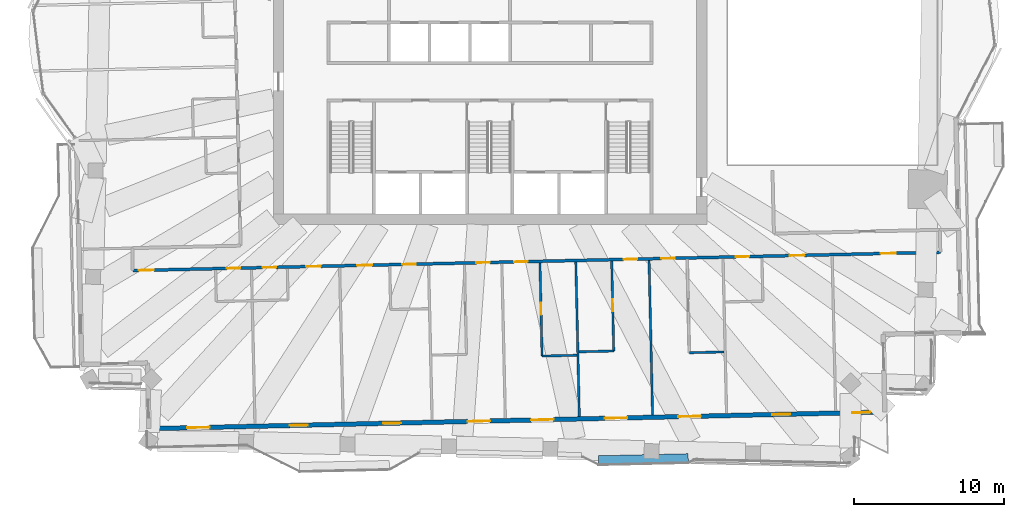
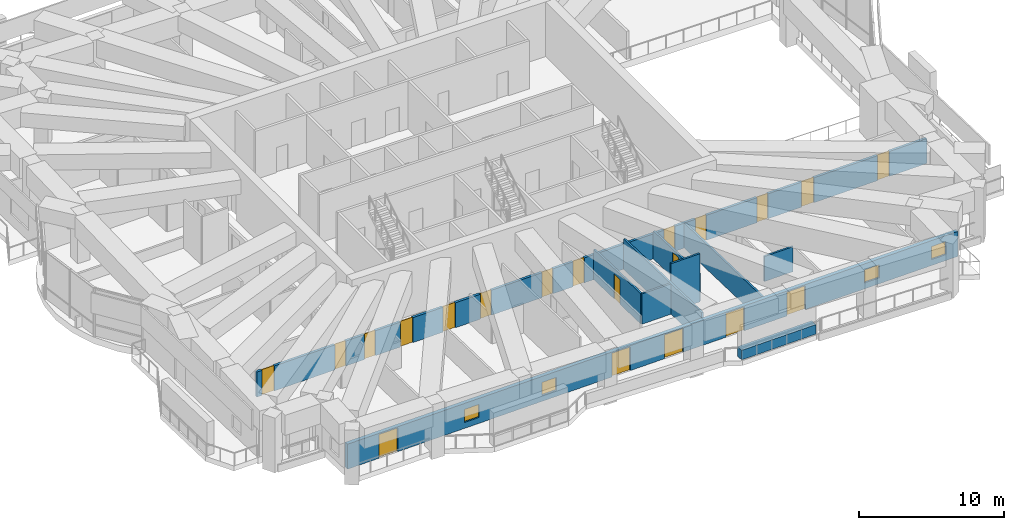
# One storey, part 13 of 21: 20 doors, 10 walls, 4 windows, 24 openings.
"""IFC4 building model written with IfcOpenShell, lengths in metres."""

from ifc_helpers import new_model, si_unit, direction, frame, frame_2d, origin, place, context, subcontext, project, spatial, rectangle, extrude, material, layer, layer_set, type_object, element, fill, save


model = new_model("IFC4")

# Units and contexts
model_context = context("Model", 3, precision=1e-05, world=origin(), true_north=direction((0.0, 1.0)))
body_context = subcontext(model_context, "Body", "Model", "MODEL_VIEW")
ifc_project = project(units=[si_unit("LENGTHUNIT", "METRE"), si_unit("AREAUNIT", "SQUARE_METRE"), si_unit("VOLUMEUNIT", "CUBIC_METRE"), si_unit("PLANEANGLEUNIT", "RADIAN"), si_unit("MASSUNIT", "GRAM", prefix="KILO")], contexts=[model_context])

# Site, building, storey
site_placement = place(None, origin())
site = spatial("IfcSite", under=ifc_project, at=site_placement, CompositionType="ELEMENT")
building_placement = place(site_placement, origin())
building = spatial("IfcBuilding", under=site, at=building_placement, Name="Mangrove Gate Tower", CompositionType="ELEMENT")
storey_placement = place(building_placement, frame((0.0, 0.0, 275.300048828125)))
storey = spatial("IfcBuildingStorey", under=building, at=storey_placement, Name="L70", CompositionType="ELEMENT", Elevation=275.300048828125)

# Wall, openings, doors
ifc_material_1 = material(Name="Gypsum board on steel stud, EI 60", Category="steel")
ifc_layer_1 = layer(ifc_material_1, 0.199951171875)
ifc_layer_set_1 = layer_set([ifc_layer_1], Name="Corridor wall EI 60")
wall_type_1 = type_object("IfcWallType", Name="Corridor wall EI 60", PredefinedType="PARTITIONING", material=ifc_layer_set_1)
wall_1_placement = place(storey_placement, frame((-23.89501953125, -14.5830078125, 0.0), z_axis=(0.0, 0.0, 1.0), x_axis=(0.999742444101, 0.022694613067, 0.0)))
wall_1 = element("IfcWall", 1, at=wall_1_placement, inside=storey, type_object=wall_type_1, Name="WALL-L70-025", PredefinedType="PARTITIONING", context=body_context, shape_type="SweptSolid", body=[
    extrude(rectangle(XDim=54.02490234375, YDim=0.199951171875, at=frame_2d((27.012451171875, 0.0))), origin(), (0.0, 0.0, 1.0), 2.099853515625),
])
opening_1_placement = place(wall_1_placement, frame((0.4140625, 0.0, 0.0)))
opening_1 = element("IfcOpeningElement", 2, at=opening_1_placement, cuts=wall_1, Name="Opening AD", PredefinedType="OPENING", context=body_context, shape_type="SweptSolid", body=[
    extrude(rectangle(XDim=1.0, YDim=2.10009765625, at=frame_2d((0.5, 1.050048828125))), frame((0.0, 0.10986328125, 0.0), z_axis=(0.0, -1.0, 0.0), x_axis=(1.0, 0.0, 0.0)), (0.0, 0.0, 1.0), 0.219970703125),
])
opening_2_placement = place(wall_1_placement, frame((6.2890625, 0.0, 0.0)))
opening_2 = element("IfcOpeningElement", 3, at=opening_2_placement, cuts=wall_1, Name="Opening SD", PredefinedType="OPENING", context=body_context, shape_type="SweptSolid", body=[
    extrude(rectangle(XDim=0.89990234375, YDim=2.10009765625, at=frame_2d((0.449951171875, 1.050048828125))), frame((0.0, 0.10986328125, 0.0), z_axis=(0.0, -1.0, 0.0), x_axis=(1.0, 0.0, 0.0)), (0.0, 0.0, 1.0), 0.219970703125),
])
opening_3_placement = place(wall_1_placement, frame((11.589111328125, 0.0, 0.0)))
opening_3 = element("IfcOpeningElement", 4, at=opening_3_placement, cuts=wall_1, Name="Opening AD", PredefinedType="OPENING", context=body_context, shape_type="SweptSolid", body=[
    extrude(rectangle(XDim=1.0, YDim=2.10009765625, at=frame_2d((0.5, 1.050048828125))), frame((0.0, 0.10986328125, 0.0), z_axis=(0.0, -1.0, 0.0), x_axis=(1.0, 0.0, 0.0)), (0.0, 0.0, 1.0), 0.219970703125),
])
opening_4_placement = place(wall_1_placement, frame((8.68896484375, 0.0, 0.0)))
opening_4 = element("IfcOpeningElement", 5, at=opening_4_placement, cuts=wall_1, Name="Opening SD", PredefinedType="OPENING", context=body_context, shape_type="SweptSolid", body=[
    extrude(rectangle(XDim=0.89990234375, YDim=2.10009765625, at=frame_2d((0.449951171875, 1.050048828125))), frame((0.0, 0.10986328125, 0.0), z_axis=(0.0, -1.0, 0.0), x_axis=(1.0, 0.0, 0.0)), (0.0, 0.0, 1.0), 0.219970703125),
])
opening_5_placement = place(wall_1_placement, frame((15.013916015625, 0.0, 0.0)))
opening_5 = element("IfcOpeningElement", 6, at=opening_5_placement, cuts=wall_1, Name="Opening AD", PredefinedType="OPENING", context=body_context, shape_type="SweptSolid", body=[
    extrude(rectangle(XDim=1.0, YDim=2.10009765625, at=frame_2d((0.5, 1.050048828125))), frame((0.0, 0.10986328125, 0.0), z_axis=(0.0, -1.0, 0.0), x_axis=(1.0, 0.0, 0.0)), (0.0, 0.0, 1.0), 0.219970703125),
])
opening_6_placement = place(wall_1_placement, frame((18.0390625, 0.0, 0.0)))
opening_6 = element("IfcOpeningElement", 7, at=opening_6_placement, cuts=wall_1, Name="Opening SD", PredefinedType="OPENING", context=body_context, shape_type="SweptSolid", body=[
    extrude(rectangle(XDim=0.89990234375, YDim=2.10009765625, at=frame_2d((0.449951171875, 1.050048828125))), frame((0.0, 0.10986328125, 0.0), z_axis=(0.0, -1.0, 0.0), x_axis=(1.0, 0.0, 0.0)), (0.0, 0.0, 1.0), 0.219970703125),
])
opening_7_placement = place(wall_1_placement, frame((22.989013671875, 0.0, 0.0)))
opening_7 = element("IfcOpeningElement", 8, at=opening_7_placement, cuts=wall_1, Name="Opening BD", PredefinedType="OPENING", context=body_context, shape_type="SweptSolid", body=[
    extrude(rectangle(XDim=0.89990234375, YDim=2.10009765625, at=frame_2d((0.449951171875, 1.050048828125))), frame((0.0, 0.10986328125, 0.0), z_axis=(0.0, -1.0, 0.0), x_axis=(1.0, 0.0, 0.0)), (0.0, 0.0, 1.0), 0.219970703125),
])
opening_8_placement = place(wall_1_placement, frame((25.513916015625, 0.0, 0.0)))
opening_8 = element("IfcOpeningElement", 9, at=opening_8_placement, cuts=wall_1, Name="Opening BD", PredefinedType="OPENING", context=body_context, shape_type="SweptSolid", body=[
    extrude(rectangle(XDim=0.89990234375, YDim=2.10009765625, at=frame_2d((0.449951171875, 1.050048828125))), frame((0.0, 0.10986328125, 0.0), z_axis=(0.0, -1.0, 0.0), x_axis=(1.0, 0.0, 0.0)), (0.0, 0.0, 1.0), 0.219970703125),
])
opening_9_placement = place(wall_1_placement, frame((32.839111328125, 0.0, 0.0)))
opening_9 = element("IfcOpeningElement", 10, at=opening_9_placement, cuts=wall_1, Name="Opening BD", PredefinedType="OPENING", context=body_context, shape_type="SweptSolid", body=[
    extrude(rectangle(XDim=0.89990234375, YDim=2.10009765625, at=frame_2d((0.449951171875, 1.050048828125))), frame((0.0, 0.10986328125, 0.0), z_axis=(0.0, -1.0, 0.0), x_axis=(1.0, 0.0, 0.0)), (0.0, 0.0, 1.0), 0.219970703125),
])
opening_10_placement = place(wall_1_placement, frame((35.364013671875, 0.0, 0.0)))
opening_10 = element("IfcOpeningElement", 11, at=opening_10_placement, cuts=wall_1, Name="Opening BD", PredefinedType="OPENING", context=body_context, shape_type="SweptSolid", body=[
    extrude(rectangle(XDim=0.89990234375, YDim=2.10009765625, at=frame_2d((0.449951171875, 1.050048828125))), frame((0.0, 0.10986328125, 0.0), z_axis=(0.0, -1.0, 0.0), x_axis=(1.0, 0.0, 0.0)), (0.0, 0.0, 1.0), 0.219970703125),
])
opening_11_placement = place(wall_1_placement, frame((43.93896484375, 0.0, 0.0)))
opening_11 = element("IfcOpeningElement", 12, at=opening_11_placement, cuts=wall_1, Name="Opening AD", PredefinedType="OPENING", context=body_context, shape_type="SweptSolid", body=[
    extrude(rectangle(XDim=1.0, YDim=2.10009765625, at=frame_2d((0.5, 1.050048828125))), frame((0.0, 0.10986328125, 0.0), z_axis=(0.0, -1.0, 0.0), x_axis=(1.0, 0.0, 0.0)), (0.0, 0.0, 1.0), 0.219970703125),
])
opening_12_placement = place(wall_1_placement, frame((40.339111328125, 0.0, 0.0)))
opening_12 = element("IfcOpeningElement", 13, at=opening_12_placement, cuts=wall_1, Name="Opening SD", PredefinedType="OPENING", context=body_context, shape_type="SweptSolid", body=[
    extrude(rectangle(XDim=0.89990234375, YDim=2.10009765625, at=frame_2d((0.449951171875, 1.050048828125))), frame((0.0, 0.10986328125, 0.0), z_axis=(0.0, -1.0, 0.0), x_axis=(1.0, 0.0, 0.0)), (0.0, 0.0, 1.0), 0.219970703125),
])
opening_13_placement = place(wall_1_placement, frame((50.034912109375, 0.0, 0.0)))
opening_13 = element("IfcOpeningElement", 14, at=opening_13_placement, cuts=wall_1, Name="Opening AD", PredefinedType="OPENING", context=body_context, shape_type="SweptSolid", body=[
    extrude(rectangle(XDim=1.0, YDim=2.10009765625, at=frame_2d((0.5, 1.050048828125))), frame((0.0, 0.10986328125, 0.0), z_axis=(0.0, -1.0, 0.0), x_axis=(1.0, 0.0, 0.0)), (0.0, 0.0, 1.0), 0.219970703125),
])
ifc_material_2 = material(Name="Timber door leaf", Category="wood")
door_type_1 = type_object("IfcDoorType", Name="Amenity door 1000", OperationType="SINGLE_SWING_LEFT", PredefinedType="DOOR", material=ifc_material_2)
door_1_placement = place(opening_1_placement, origin())
door_1 = element("IfcDoor", 15, at=door_1_placement, inside=storey, type_object=door_type_1, Name="DOOR-L70-GAM-c1a", OperationType="SINGLE_SWING_LEFT", OverallHeight=2.10009765625, OverallWidth=1.0, PredefinedType="DOOR", context=body_context, shape_type="SweptSolid", body=[
    extrude(rectangle(XDim=1.0, YDim=2.10009765625, at=frame_2d((0.5, 1.050048828125))), frame((0.0, 0.02490234375, 0.0), z_axis=(0.0, -1.0, 0.0), x_axis=(1.0, 0.0, 0.0)), (0.0, 0.0, 1.0), 0.050048828125),
])
fill(opening_1, door_1)
door_2_placement = place(opening_3_placement, origin())
door_2 = element("IfcDoor", 16, at=door_2_placement, inside=storey, type_object=door_type_1, Name="DOOR-L70-KIT-c1a", OperationType="SINGLE_SWING_RIGHT", OverallHeight=2.10009765625, OverallWidth=1.0, PredefinedType="DOOR", context=body_context, shape_type="SweptSolid", body=[
    extrude(rectangle(XDim=1.0, YDim=2.10009765625, at=frame_2d((0.5, 1.050048828125))), frame((0.0, 0.02490234375, 0.0), z_axis=(0.0, -1.0, 0.0), x_axis=(1.0, 0.0, 0.0)), (0.0, 0.0, 1.0), 0.050048828125),
])
fill(opening_3, door_2)
door_3_placement = place(opening_5_placement, origin())
door_3 = element("IfcDoor", 17, at=door_3_placement, inside=storey, type_object=door_type_1, Name="DOOR-L70-KIT-c1b", OperationType="SINGLE_SWING_LEFT", OverallHeight=2.10009765625, OverallWidth=1.0, PredefinedType="DOOR", context=body_context, shape_type="SweptSolid", body=[
    extrude(rectangle(XDim=1.0, YDim=2.10009765625, at=frame_2d((0.5, 1.050048828125))), frame((0.0, 0.02490234375, 0.0), z_axis=(0.0, -1.0, 0.0), x_axis=(1.0, 0.0, 0.0)), (0.0, 0.0, 1.0), 0.050048828125),
])
fill(opening_5, door_3)
door_4_placement = place(opening_11_placement, origin())
door_4 = element("IfcDoor", 18, at=door_4_placement, inside=storey, type_object=door_type_1, Name="DOOR-L70-GAM-c3a", OperationType="SINGLE_SWING_RIGHT", OverallHeight=2.10009765625, OverallWidth=1.0, PredefinedType="DOOR", context=body_context, shape_type="SweptSolid", body=[
    extrude(rectangle(XDim=1.0, YDim=2.10009765625, at=frame_2d((0.5, 1.050048828125))), frame((0.0, 0.02490234375, 0.0), z_axis=(0.0, -1.0, 0.0), x_axis=(1.0, 0.0, 0.0)), (0.0, 0.0, 1.0), 0.050048828125),
])
fill(opening_11, door_4)
door_5_placement = place(opening_13_placement, origin())
door_5 = element("IfcDoor", 19, at=door_5_placement, inside=storey, type_object=door_type_1, Name="DOOR-L70-STU-c3a", OperationType="SINGLE_SWING_LEFT", OverallHeight=2.10009765625, OverallWidth=1.0, PredefinedType="DOOR", context=body_context, shape_type="SweptSolid", body=[
    extrude(rectangle(XDim=1.0, YDim=2.10009765625, at=frame_2d((0.5, 1.050048828125))), frame((0.0, 0.02490234375, 0.0), z_axis=(0.0, -1.0, 0.0), x_axis=(1.0, 0.0, 0.0)), (0.0, 0.0, 1.0), 0.050048828125),
])
fill(opening_13, door_5)
ifc_material_3 = material(Name="Timber door leaf", Category="wood")
door_type_2 = type_object("IfcDoorType", Name="Bedroom door 900", OperationType="SINGLE_SWING_LEFT", PredefinedType="DOOR", material=ifc_material_3)
door_6_placement = place(opening_7_placement, origin())
door_6 = element("IfcDoor", 20, at=door_6_placement, inside=storey, type_object=door_type_2, Name="DOOR-L70-BED-c101", OperationType="SINGLE_SWING_LEFT", OverallHeight=2.10009765625, OverallWidth=0.89990234375, PredefinedType="DOOR", context=body_context, shape_type="SweptSolid", body=[
    extrude(rectangle(XDim=0.89990234375, YDim=2.10009765625, at=frame_2d((0.449951171875, 1.050048828125))), frame((0.0, 0.02490234375, 0.0), z_axis=(0.0, -1.0, 0.0), x_axis=(1.0, 0.0, 0.0)), (0.0, 0.0, 1.0), 0.050048828125),
])
fill(opening_7, door_6)
door_7_placement = place(opening_8_placement, origin())
door_7 = element("IfcDoor", 21, at=door_7_placement, inside=storey, type_object=door_type_2, Name="DOOR-L70-BED-c102", OperationType="SINGLE_SWING_RIGHT", OverallHeight=2.10009765625, OverallWidth=0.89990234375, PredefinedType="DOOR", context=body_context, shape_type="SweptSolid", body=[
    extrude(rectangle(XDim=0.89990234375, YDim=2.10009765625, at=frame_2d((0.449951171875, 1.050048828125))), frame((0.0, 0.02490234375, 0.0), z_axis=(0.0, -1.0, 0.0), x_axis=(1.0, 0.0, 0.0)), (0.0, 0.0, 1.0), 0.050048828125),
])
fill(opening_8, door_7)
door_8_placement = place(opening_9_placement, origin())
door_8 = element("IfcDoor", 22, at=door_8_placement, inside=storey, type_object=door_type_2, Name="DOOR-L70-BED-c203", OperationType="SINGLE_SWING_LEFT", OverallHeight=2.10009765625, OverallWidth=0.89990234375, PredefinedType="DOOR", context=body_context, shape_type="SweptSolid", body=[
    extrude(rectangle(XDim=0.89990234375, YDim=2.10009765625, at=frame_2d((0.449951171875, 1.050048828125))), frame((0.0, 0.02490234375, 0.0), z_axis=(0.0, -1.0, 0.0), x_axis=(1.0, 0.0, 0.0)), (0.0, 0.0, 1.0), 0.050048828125),
])
fill(opening_9, door_8)
door_9_placement = place(opening_10_placement, origin())
door_9 = element("IfcDoor", 23, at=door_9_placement, inside=storey, type_object=door_type_2, Name="DOOR-L70-BED-c304", OperationType="SINGLE_SWING_RIGHT", OverallHeight=2.10009765625, OverallWidth=0.89990234375, PredefinedType="DOOR", context=body_context, shape_type="SweptSolid", body=[
    extrude(rectangle(XDim=0.89990234375, YDim=2.10009765625, at=frame_2d((0.449951171875, 1.050048828125))), frame((0.0, 0.02490234375, 0.0), z_axis=(0.0, -1.0, 0.0), x_axis=(1.0, 0.0, 0.0)), (0.0, 0.0, 1.0), 0.050048828125),
])
fill(opening_10, door_9)
ifc_material_4 = material(Name="Timber door leaf", Category="wood")
door_type_3 = type_object("IfcDoorType", Name="Service room door 900", OperationType="SINGLE_SWING_LEFT", PredefinedType="DOOR", material=ifc_material_4)
door_10_placement = place(opening_2_placement, origin())
door_10 = element("IfcDoor", 24, at=door_10_placement, inside=storey, type_object=door_type_3, Name="DOOR-L70-LIN-c1a", OperationType="SINGLE_SWING_LEFT", OverallHeight=2.10009765625, OverallWidth=0.89990234375, PredefinedType="DOOR", context=body_context, shape_type="SweptSolid", body=[
    extrude(rectangle(XDim=0.89990234375, YDim=2.10009765625, at=frame_2d((0.449951171875, 1.050048828125))), frame((0.0, 0.02490234375, 0.0), z_axis=(0.0, -1.0, 0.0), x_axis=(1.0, 0.0, 0.0)), (0.0, 0.0, 1.0), 0.050048828125),
])
fill(opening_2, door_10)
door_11_placement = place(opening_4_placement, origin())
door_11 = element("IfcDoor", 25, at=door_11_placement, inside=storey, type_object=door_type_3, Name="DOOR-L70-LIN-c1b", OperationType="SINGLE_SWING_RIGHT", OverallHeight=2.10009765625, OverallWidth=0.89990234375, PredefinedType="DOOR", context=body_context, shape_type="SweptSolid", body=[
    extrude(rectangle(XDim=0.89990234375, YDim=2.10009765625, at=frame_2d((0.449951171875, 1.050048828125))), frame((0.0, 0.02490234375, 0.0), z_axis=(0.0, -1.0, 0.0), x_axis=(1.0, 0.0, 0.0)), (0.0, 0.0, 1.0), 0.050048828125),
])
fill(opening_4, door_11)
door_12_placement = place(opening_6_placement, origin())
door_12 = element("IfcDoor", 26, at=door_12_placement, inside=storey, type_object=door_type_3, Name="DOOR-L70-AWC-c1a", OperationType="SINGLE_SWING_LEFT", OverallHeight=2.10009765625, OverallWidth=0.89990234375, PredefinedType="DOOR", context=body_context, shape_type="SweptSolid", body=[
    extrude(rectangle(XDim=0.89990234375, YDim=2.10009765625, at=frame_2d((0.449951171875, 1.050048828125))), frame((0.0, 0.02490234375, 0.0), z_axis=(0.0, -1.0, 0.0), x_axis=(1.0, 0.0, 0.0)), (0.0, 0.0, 1.0), 0.050048828125),
])
fill(opening_6, door_12)
door_13_placement = place(opening_12_placement, origin())
door_13 = element("IfcDoor", 27, at=door_13_placement, inside=storey, type_object=door_type_3, Name="DOOR-L70-AWC-c3a", OperationType="SINGLE_SWING_RIGHT", OverallHeight=2.10009765625, OverallWidth=0.89990234375, PredefinedType="DOOR", context=body_context, shape_type="SweptSolid", body=[
    extrude(rectangle(XDim=0.89990234375, YDim=2.10009765625, at=frame_2d((0.449951171875, 1.050048828125))), frame((0.0, 0.02490234375, 0.0), z_axis=(0.0, -1.0, 0.0), x_axis=(1.0, 0.0, 0.0)), (0.0, 0.0, 1.0), 0.050048828125),
])
fill(opening_12, door_13)

# Wall, openings, doors, windows
ifc_material_5 = material(Name="Limestone", Category="masonry")
ifc_layer_2 = layer(ifc_material_5, 0.0400390625, Name="Limestone cladding")
ifc_material_6 = material(Name="Ventilated air gap")
ifc_layer_3 = layer(ifc_material_6, 0.0400390625, Name="Ventilated cavity")
ifc_material_7 = material(Name="Mineral wool insulation")
ifc_layer_4 = layer(ifc_material_7, 0.06005859375, Name="Insulation")
ifc_material_8 = material(Name="Breather membrane")
ifc_layer_5 = layer(ifc_material_8, 0.001953125, Name="Breather membrane")
ifc_material_9 = material(Name="Concrete C20/25 blockwork", Category="masonry")
ifc_layer_6 = layer(ifc_material_9, 0.14990234375, Name="Blockwork backing wall")
ifc_material_10 = material(Name="Gypsum plaster")
ifc_layer_7 = layer(ifc_material_10, 0.008056640625, Name="Internal plaster")
ifc_layer_set_2 = layer_set([ifc_layer_2, ifc_layer_3, ifc_layer_4, ifc_layer_5, ifc_layer_6, ifc_layer_7], Name="External wall 300 limestone cladding")
wall_type_2 = type_object("IfcWallType", Name="External wall 300 limestone cladding", PredefinedType="SOLIDWALL", material=ifc_layer_set_2)
wall_2_placement = place(storey_placement, frame((-22.81591796875, -25.160888671875, 0.0), z_axis=(0.0, 0.0, 1.0), x_axis=(0.999742646411, 0.022685699159, 0.0)))
wall_2 = element("IfcWall", 28, at=wall_2_placement, inside=storey, type_object=wall_type_2, Name="WALL-L70-S13", PredefinedType="SOLIDWALL", context=body_context, shape_type="SweptSolid", body=[
    extrude(rectangle(XDim=49.235595703125, YDim=0.300048828125, at=frame_2d((24.61767578125, 0.0))), origin(), (0.0, 0.0, 1.0), 2.099853515625),
])
opening_14_placement = place(wall_2_placement, frame((2.56005859375, 0.0, 0.0)))
opening_14 = element("IfcOpeningElement", 29, at=opening_14_placement, cuts=wall_2, Name="Opening BD3", PredefinedType="OPENING", context=body_context, shape_type="SweptSolid", body=[
    extrude(rectangle(XDim=1.5, YDim=2.0, at=frame_2d((0.75, 1.0))), frame((0.0, 0.159912109375, 0.0), z_axis=(0.0, -1.0, 0.0), x_axis=(1.0, 0.0, 0.0)), (0.0, 0.0, 1.0), 0.320068359375),
])
opening_15_placement = place(wall_2_placement, frame((9.4169921875, 0.0, 0.5)))
opening_15 = element("IfcOpeningElement", 30, at=opening_15_placement, cuts=wall_2, Name="Opening W6", PredefinedType="OPENING", context=body_context, shape_type="SweptSolid", body=[
    extrude(rectangle(XDim=1.199951171875, YDim=1.10009765625, at=frame_2d((0.60009765625, 0.550048828125))), frame((0.0, 0.159912109375, 0.0), z_axis=(0.0, -1.0, 0.0), x_axis=(1.0, 0.0, 0.0)), (0.0, 0.0, 1.0), 0.320068359375),
])
opening_16_placement = place(wall_2_placement, frame((15.6640625, 0.0, 0.5)))
opening_16 = element("IfcOpeningElement", 31, at=opening_16_placement, cuts=wall_2, Name="Opening W6", PredefinedType="OPENING", context=body_context, shape_type="SweptSolid", body=[
    extrude(rectangle(XDim=1.199951171875, YDim=1.10009765625, at=frame_2d((0.60009765625, 0.550048828125))), frame((0.0, 0.159912109375, 0.0), z_axis=(0.0, -1.0, 0.0), x_axis=(1.0, 0.0, 0.0)), (0.0, 0.0, 1.0), 0.320068359375),
])
opening_17_placement = place(wall_2_placement, frame((21.325927734375, 0.0, 0.0)))
opening_17 = element("IfcOpeningElement", 32, at=opening_17_placement, cuts=wall_2, Name="Opening BD3", PredefinedType="OPENING", context=body_context, shape_type="SweptSolid", body=[
    extrude(rectangle(XDim=1.5, YDim=2.0, at=frame_2d((0.75, 1.0))), frame((0.0, 0.159912109375, 0.0), z_axis=(0.0, -1.0, 0.0), x_axis=(1.0, 0.0, 0.0)), (0.0, 0.0, 1.0), 0.320068359375),
])
opening_18_placement = place(wall_2_placement, frame((25.574951171875, 0.0, 0.0)))
opening_18 = element("IfcOpeningElement", 33, at=opening_18_placement, cuts=wall_2, Name="Opening BD3", PredefinedType="OPENING", context=body_context, shape_type="SweptSolid", body=[
    extrude(rectangle(XDim=1.5, YDim=2.0, at=frame_2d((0.75, 1.0))), frame((0.0, 0.159912109375, 0.0), z_axis=(0.0, -1.0, 0.0), x_axis=(1.0, 0.0, 0.0)), (0.0, 0.0, 1.0), 0.320068359375),
])
opening_19_placement = place(wall_2_placement, frame((30.5, 0.0, 0.0)))
opening_19 = element("IfcOpeningElement", 34, at=opening_19_placement, cuts=wall_2, Name="Opening BD3", PredefinedType="OPENING", context=body_context, shape_type="SweptSolid", body=[
    extrude(rectangle(XDim=1.5, YDim=2.0, at=frame_2d((0.75, 1.0))), frame((0.0, 0.159912109375, 0.0), z_axis=(0.0, -1.0, 0.0), x_axis=(1.0, 0.0, 0.0)), (0.0, 0.0, 1.0), 0.320068359375),
])
opening_20_placement = place(wall_2_placement, frame((35.425048828125, 0.0, 0.0)))
opening_20 = element("IfcOpeningElement", 35, at=opening_20_placement, cuts=wall_2, Name="Opening BD3", PredefinedType="OPENING", context=body_context, shape_type="SweptSolid", body=[
    extrude(rectangle(XDim=1.5, YDim=2.0, at=frame_2d((0.75, 1.0))), frame((0.0, 0.159912109375, 0.0), z_axis=(0.0, -1.0, 0.0), x_axis=(1.0, 0.0, 0.0)), (0.0, 0.0, 1.0), 0.320068359375),
])
opening_21_placement = place(wall_2_placement, frame((41.699951171875, 0.0, 0.5)))
opening_21 = element("IfcOpeningElement", 36, at=opening_21_placement, cuts=wall_2, Name="Opening W6", PredefinedType="OPENING", context=body_context, shape_type="SweptSolid", body=[
    extrude(rectangle(XDim=1.199951171875, YDim=1.10009765625, at=frame_2d((0.60009765625, 0.550048828125))), frame((0.0, 0.159912109375, 0.0), z_axis=(0.0, -1.0, 0.0), x_axis=(1.0, 0.0, 0.0)), (0.0, 0.0, 1.0), 0.320068359375),
])
opening_22_placement = place(wall_2_placement, frame((47.068115234375, 0.0, 0.5)))
opening_22 = element("IfcOpeningElement", 37, at=opening_22_placement, cuts=wall_2, Name="Opening W6", PredefinedType="OPENING", context=body_context, shape_type="SweptSolid", body=[
    extrude(rectangle(XDim=1.199951171875, YDim=1.10009765625, at=frame_2d((0.60009765625, 0.550048828125))), frame((0.0, 0.159912109375, 0.0), z_axis=(0.0, -1.0, 0.0), x_axis=(1.0, 0.0, 0.0)), (0.0, 0.0, 1.0), 0.320068359375),
])
ifc_material_11 = material(Name="Aluminium frame with laminated clear glass", Category="aluminium")
door_type_4 = type_object("IfcDoorType", Name="Balcony sliding door 1500x2000", OperationType="SLIDING_TO_LEFT", PredefinedType="DOOR", material=ifc_material_11)
door_14_placement = place(opening_14_placement, origin())
door_14 = element("IfcDoor", 38, at=door_14_placement, inside=storey, type_object=door_type_4, Name="DOOR-L70-S13-1", OperationType="SLIDING_TO_LEFT", OverallHeight=2.0, OverallWidth=1.5, PredefinedType="DOOR", context=body_context, shape_type="SweptSolid", body=[
    extrude(rectangle(XDim=1.5, YDim=2.0, at=frame_2d((0.75, 1.0))), frame((0.0, 0.02490234375, 0.0), z_axis=(0.0, -1.0, 0.0), x_axis=(1.0, 0.0, 0.0)), (0.0, 0.0, 1.0), 0.050048828125),
])
fill(opening_14, door_14)
door_15_placement = place(opening_17_placement, origin())
door_15 = element("IfcDoor", 39, at=door_15_placement, inside=storey, type_object=door_type_4, Name="DOOR-L70-S13-4", OperationType="SLIDING_TO_LEFT", OverallHeight=2.0, OverallWidth=1.5, PredefinedType="DOOR", context=body_context, shape_type="SweptSolid", body=[
    extrude(rectangle(XDim=1.5, YDim=2.0, at=frame_2d((0.75, 1.0))), frame((0.0, 0.02490234375, 0.0), z_axis=(0.0, -1.0, 0.0), x_axis=(1.0, 0.0, 0.0)), (0.0, 0.0, 1.0), 0.050048828125),
])
fill(opening_17, door_15)
door_16_placement = place(opening_18_placement, origin())
door_16 = element("IfcDoor", 40, at=door_16_placement, inside=storey, type_object=door_type_4, Name="DOOR-L70-S13-5", OperationType="SLIDING_TO_LEFT", OverallHeight=2.0, OverallWidth=1.5, PredefinedType="DOOR", context=body_context, shape_type="SweptSolid", body=[
    extrude(rectangle(XDim=1.5, YDim=2.0, at=frame_2d((0.75, 1.0))), frame((0.0, 0.02490234375, 0.0), z_axis=(0.0, -1.0, 0.0), x_axis=(1.0, 0.0, 0.0)), (0.0, 0.0, 1.0), 0.050048828125),
])
fill(opening_18, door_16)
door_17_placement = place(opening_19_placement, origin())
door_17 = element("IfcDoor", 41, at=door_17_placement, inside=storey, type_object=door_type_4, Name="DOOR-L70-S13-6", OperationType="SLIDING_TO_LEFT", OverallHeight=2.0, OverallWidth=1.5, PredefinedType="DOOR", context=body_context, shape_type="SweptSolid", body=[
    extrude(rectangle(XDim=1.5, YDim=2.0, at=frame_2d((0.75, 1.0))), frame((0.0, 0.02490234375, 0.0), z_axis=(0.0, -1.0, 0.0), x_axis=(1.0, 0.0, 0.0)), (0.0, 0.0, 1.0), 0.050048828125),
])
fill(opening_19, door_17)
door_18_placement = place(opening_20_placement, origin())
door_18 = element("IfcDoor", 42, at=door_18_placement, inside=storey, type_object=door_type_4, Name="DOOR-L70-S13-7", OperationType="SLIDING_TO_LEFT", OverallHeight=2.0, OverallWidth=1.5, PredefinedType="DOOR", context=body_context, shape_type="SweptSolid", body=[
    extrude(rectangle(XDim=1.5, YDim=2.0, at=frame_2d((0.75, 1.0))), frame((0.0, 0.02490234375, 0.0), z_axis=(0.0, -1.0, 0.0), x_axis=(1.0, 0.0, 0.0)), (0.0, 0.0, 1.0), 0.050048828125),
])
fill(opening_20, door_18)
ifc_material_12 = material(Name="Aluminium frame with double-glazed low-e glass", Category="aluminium")
window_type = type_object("IfcWindowType", Name="Low window 1200x1100", PartitioningType="SINGLE_PANEL", PredefinedType="WINDOW", material=ifc_material_12)
window_1_placement = place(opening_15_placement, origin())
window_1 = element("IfcWindow", 43, at=window_1_placement, inside=storey, type_object=window_type, Name="WIN-L70-S13-2", OverallHeight=1.10009765625, OverallWidth=1.199951171875, PartitioningType="SINGLE_PANEL", PredefinedType="WINDOW", context=body_context, shape_type="SweptSolid", body=[
    extrude(rectangle(XDim=1.199951171875, YDim=1.10009765625, at=frame_2d((0.60009765625, 0.550048828125))), frame((0.0, 0.030029296875, 0.0), z_axis=(0.0, -1.0, 0.0), x_axis=(1.0, 0.0, 0.0)), (0.0, 0.0, 1.0), 0.06005859375),
])
fill(opening_15, window_1)
window_2_placement = place(opening_16_placement, origin())
window_2 = element("IfcWindow", 44, at=window_2_placement, inside=storey, type_object=window_type, Name="WIN-L70-S13-3", OverallHeight=1.10009765625, OverallWidth=1.199951171875, PartitioningType="SINGLE_PANEL", PredefinedType="WINDOW", context=body_context, shape_type="SweptSolid", body=[
    extrude(rectangle(XDim=1.199951171875, YDim=1.10009765625, at=frame_2d((0.60009765625, 0.550048828125))), frame((0.0, 0.030029296875, 0.0), z_axis=(0.0, -1.0, 0.0), x_axis=(1.0, 0.0, 0.0)), (0.0, 0.0, 1.0), 0.06005859375),
])
fill(opening_16, window_2)
window_3_placement = place(opening_21_placement, origin())
window_3 = element("IfcWindow", 45, at=window_3_placement, inside=storey, type_object=window_type, Name="WIN-L70-S13-8", OverallHeight=1.10009765625, OverallWidth=1.199951171875, PartitioningType="SINGLE_PANEL", PredefinedType="WINDOW", context=body_context, shape_type="SweptSolid", body=[
    extrude(rectangle(XDim=1.199951171875, YDim=1.10009765625, at=frame_2d((0.60009765625, 0.550048828125))), frame((0.0, 0.030029296875, 0.0), z_axis=(0.0, -1.0, 0.0), x_axis=(1.0, 0.0, 0.0)), (0.0, 0.0, 1.0), 0.06005859375),
])
fill(opening_21, window_3)
window_4_placement = place(opening_22_placement, origin())
window_4 = element("IfcWindow", 46, at=window_4_placement, inside=storey, type_object=window_type, Name="WIN-L70-S13-9", OverallHeight=1.10009765625, OverallWidth=1.199951171875, PartitioningType="SINGLE_PANEL", PredefinedType="WINDOW", context=body_context, shape_type="SweptSolid", body=[
    extrude(rectangle(XDim=1.199951171875, YDim=1.10009765625, at=frame_2d((0.60009765625, 0.550048828125))), frame((0.0, 0.030029296875, 0.0), z_axis=(0.0, -1.0, 0.0), x_axis=(1.0, 0.0, 0.0)), (0.0, 0.0, 1.0), 0.06005859375),
])
fill(opening_22, window_4)

# Walls
ifc_material_13 = material(Name="Gypsum board on steel stud, EI 60", Category="steel")
ifc_layer_8 = layer(ifc_material_13, 0.14990234375)
ifc_layer_set_3 = layer_set([ifc_layer_8], Name="Party wall 150 EI 60")
wall_type_3 = type_object("IfcWallType", Name="Party wall 150 EI 60", PredefinedType="PARTITIONING", material=ifc_layer_set_3)
wall_3_placement = place(storey_placement, frame((5.970947265625, -24.35791015625, 0.0), z_axis=(0.0, 0.0, 1.0), x_axis=(-0.022690865001, 0.999742529177, 0.0)))
element("IfcWall", 47, at=wall_3_placement, inside=storey, type_object=wall_type_3, Name="WALL-L70-005", PredefinedType="PARTITIONING", context=body_context, shape_type="SweptSolid", body=[
    extrude(rectangle(XDim=10.3505859375, YDim=0.14990234375, at=frame_2d((5.17529296875, 0.0))), origin(), (0.0, 0.0, 1.0), 2.550048828125),
])
wall_4_placement = place(storey_placement, frame((10.8701171875, -24.2470703125, 0.0), z_axis=(0.0, 0.0, 1.0), x_axis=(-0.022713904397, 0.999742005993, 0.0)))
element("IfcWall", 48, at=wall_4_placement, inside=storey, type_object=wall_type_3, Name="WALL-L70-006", PredefinedType="PARTITIONING", context=body_context, shape_type="SweptSolid", body=[
    extrude(rectangle(XDim=10.350830078125, YDim=0.14990234375, at=frame_2d((5.17529296875, 0.0))), origin(), (0.0, 0.0, 1.0), 2.099853515625),
])

# Wall, opening, door
wall_5_placement = place(storey_placement, frame((3.47900390625, -20.302978515625, 0.0), z_axis=(0.0, 0.0, 1.0), x_axis=(-0.022772066746, 0.999740682865, 0.0)))
wall_5 = element("IfcWall", 49, at=wall_5_placement, inside=storey, type_object=wall_type_3, Name="WALL-L70-009", PredefinedType="PARTITIONING", context=body_context, shape_type="SweptSolid", body=[
    extrude(rectangle(XDim=6.23974609375, YDim=0.14990234375, at=frame_2d((3.119873046875, 0.0))), origin(), (0.0, 0.0, 1.0), 2.550048828125),
])
opening_23_placement = place(wall_5_placement, frame((2.77001953125, 0.0, 0.0)))
opening_23 = element("IfcOpeningElement", 50, at=opening_23_placement, cuts=wall_5, Name="Opening ED", PredefinedType="OPENING", context=body_context, shape_type="SweptSolid", body=[
    extrude(rectangle(XDim=0.800048828125, YDim=2.10009765625, at=frame_2d((0.39990234375, 1.050048828125))), frame((0.0, 0.0849609375, 0.0), z_axis=(0.0, -1.0, 0.0), x_axis=(1.0, 0.0, 0.0)), (0.0, 0.0, 1.0), 0.169921875),
])
ifc_material_14 = material(Name="Timber door leaf", Category="wood")
door_type_5 = type_object("IfcDoorType", Name="En-suite door 800", OperationType="SINGLE_SWING_LEFT", PredefinedType="DOOR", material=ifc_material_14)
door_19_placement = place(opening_23_placement, origin())
door_19 = element("IfcDoor", 51, at=door_19_placement, inside=storey, type_object=door_type_5, Name="DOOR-L70-ENS-c102", OperationType="SINGLE_SWING_RIGHT", OverallHeight=2.10009765625, OverallWidth=0.800048828125, PredefinedType="DOOR", context=body_context, shape_type="SweptSolid", body=[
    extrude(rectangle(XDim=0.800048828125, YDim=2.10009765625, at=frame_2d((0.39990234375, 1.050048828125))), frame((0.0, 0.02490234375, 0.0), z_axis=(0.0, -1.0, 0.0), x_axis=(1.0, 0.0, 0.0)), (0.0, 0.0, 1.0), 0.050048828125),
])
fill(opening_23, door_19)

# Walls
wall_6_placement = place(storey_placement, frame((3.48095703125, -20.302978515625, 0.0), z_axis=(0.0, 0.0, 1.0), x_axis=(0.999740260747, 0.02279059109, 0.0)))
element("IfcWall", 52, at=wall_6_placement, inside=storey, type_object=wall_type_3, Name="WALL-L70-010", PredefinedType="PARTITIONING", context=body_context, shape_type="SweptSolid", body=[
    extrude(rectangle(XDim=2.324462890625, YDim=0.14990234375, at=frame_2d((1.162109375, 0.0))), origin(), (0.0, 0.0, 1.0), 2.550048828125),
])
wall_7_placement = place(storey_placement, frame((13.327880859375, -20.080078125, 0.0), z_axis=(0.0, 0.0, 1.0), x_axis=(0.99974031529, 0.022788198363, 0.0)))
element("IfcWall", 53, at=wall_7_placement, inside=storey, type_object=wall_type_3, Name="WALL-L70-012", PredefinedType="PARTITIONING", context=body_context, shape_type="SweptSolid", body=[
    extrude(rectangle(XDim=2.32470703125, YDim=0.14990234375, at=frame_2d((1.162353515625, 0.0))), origin(), (0.0, 0.0, 1.0), 2.099853515625),
])
wall_8_placement = place(storey_placement, frame((5.949951171875, -20.01708984375, 0.0), z_axis=(0.0, 0.0, 1.0), x_axis=(0.999740260747, 0.02279059109, 0.0)))
element("IfcWall", 54, at=wall_8_placement, inside=storey, type_object=wall_type_3, Name="WALL-L70-015", PredefinedType="PARTITIONING", context=body_context, shape_type="SweptSolid", body=[
    extrude(rectangle(XDim=2.324462890625, YDim=0.14990234375, at=frame_2d((1.162109375, 0.0))), origin(), (0.0, 0.0, 1.0), 4.050048828125),
])

# Wall, opening, door
wall_9_placement = place(storey_placement, frame((8.27197265625, -19.964111328125, 0.0), z_axis=(0.0, 0.0, 1.0), x_axis=(-0.022628200247, 0.999743949496, 0.0)))
wall_9 = element("IfcWall", 55, at=wall_9_placement, inside=storey, type_object=wall_type_3, Name="WALL-L70-016", PredefinedType="PARTITIONING", context=body_context, shape_type="SweptSolid", body=[
    extrude(rectangle(XDim=6.009521484375, YDim=0.14990234375, at=frame_2d((3.0048828125, 0.0))), origin(), (0.0, 0.0, 1.0), 2.349853515625),
])
opening_24_placement = place(wall_9_placement, frame((2.655029296875, 0.0, 0.0)))
opening_24 = element("IfcOpeningElement", 56, at=opening_24_placement, cuts=wall_9, Name="Opening ED", PredefinedType="OPENING", context=body_context, shape_type="SweptSolid", body=[
    extrude(rectangle(XDim=0.800048828125, YDim=2.10009765625, at=frame_2d((0.39990234375, 1.050048828125))), frame((0.0, 0.0849609375, 0.0), z_axis=(0.0, -1.0, 0.0), x_axis=(1.0, 0.0, 0.0)), (0.0, 0.0, 1.0), 0.169921875),
])
door_20_placement = place(opening_24_placement, origin())
door_20 = element("IfcDoor", 57, at=door_20_placement, inside=storey, type_object=door_type_5, Name="DOOR-L70-ENS-c203", OperationType="SINGLE_SWING_LEFT", OverallHeight=2.10009765625, OverallWidth=0.800048828125, PredefinedType="DOOR", context=body_context, shape_type="SweptSolid", body=[
    extrude(rectangle(XDim=0.800048828125, YDim=2.10009765625, at=frame_2d((0.39990234375, 1.050048828125))), frame((0.0, 0.02490234375, 0.0), z_axis=(0.0, -1.0, 0.0), x_axis=(1.0, 0.0, 0.0)), (0.0, 0.0, 1.0), 0.050048828125),
])
fill(opening_24, door_20)

# Wall
ifc_material_15 = material(Name="Concrete C32/40", Category="concrete")
ifc_layer_9 = layer(ifc_material_15, 0.199951171875, Name="Planter trough wall")
ifc_material_16 = material(Name="Bituminous waterproofing membrane")
ifc_layer_10 = layer(ifc_material_16, 0.0048828125, Name="Waterproofing")
ifc_material_17 = material(Name="Drainage board and gravel")
ifc_layer_11 = layer(ifc_material_17, 0.044921875, Name="Drainage layer")
ifc_material_18 = material(Name="Planting soil")
ifc_layer_12 = layer(ifc_material_18, 0.300048828125, Name="Growing medium")
ifc_layer_set_4 = layer_set([ifc_layer_9, ifc_layer_10, ifc_layer_11, ifc_layer_12], Name="Planter wall 550 C32/40")
wall_type_4 = type_object("IfcWallType", Name="Planter wall 550 C32/40", PredefinedType="USERDEFINED", material=ifc_layer_set_4)
wall_10_placement = place(storey_placement, frame((7.257080078125, -27.243896484375, 0.0), z_axis=(0.0, 0.0, 1.0), x_axis=(0.999743178102, 0.022662255828, 0.0)))
element("IfcWall", 58, at=wall_10_placement, inside=storey, type_object=wall_type_4, Name="PLANTER L70 S1.1", ObjectType="PLANTER", PredefinedType="USERDEFINED", context=body_context, shape_type="SweptSolid", body=[
    extrude(rectangle(XDim=6.00048828125, YDim=0.550048828125, at=frame_2d((3.000244140625, 0.0))), origin(), (0.0, 0.0, 1.0), 0.800048828125),
])

save(model, "model.ifc")
